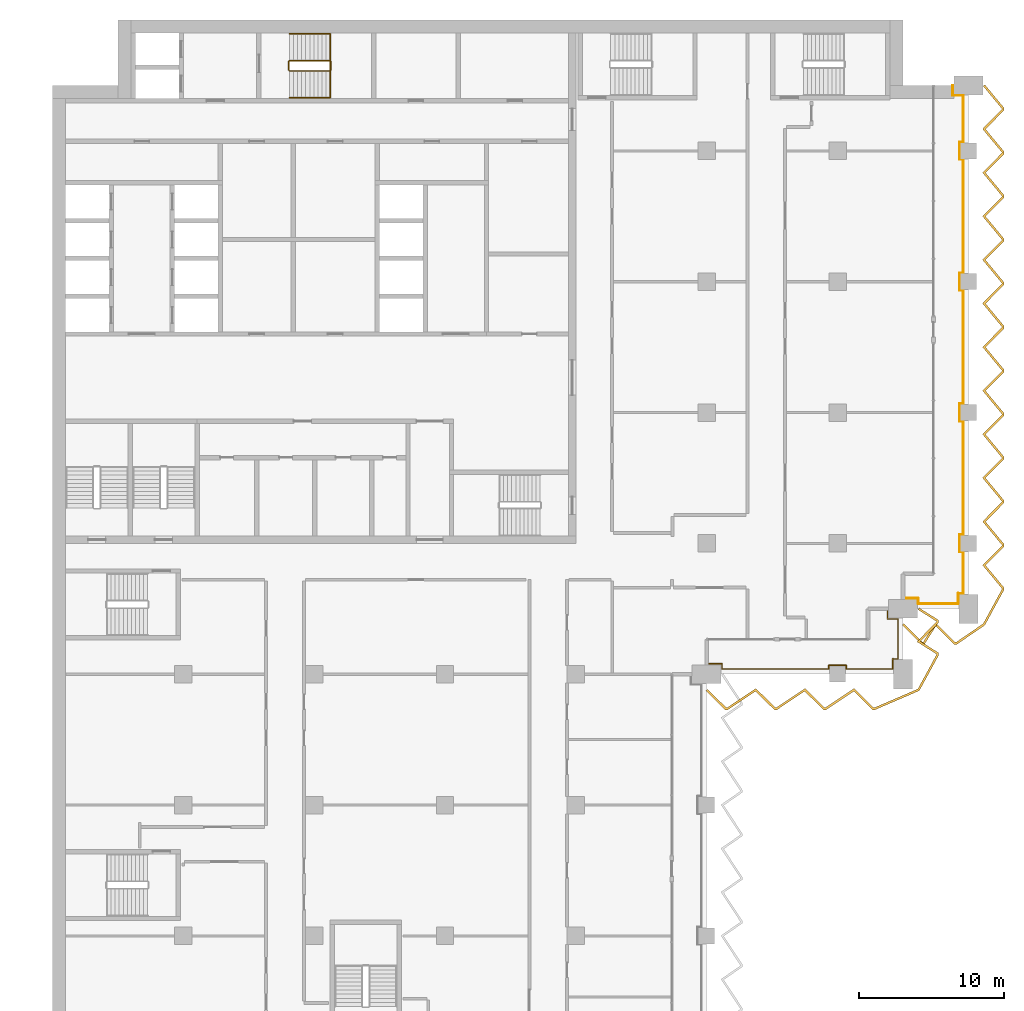
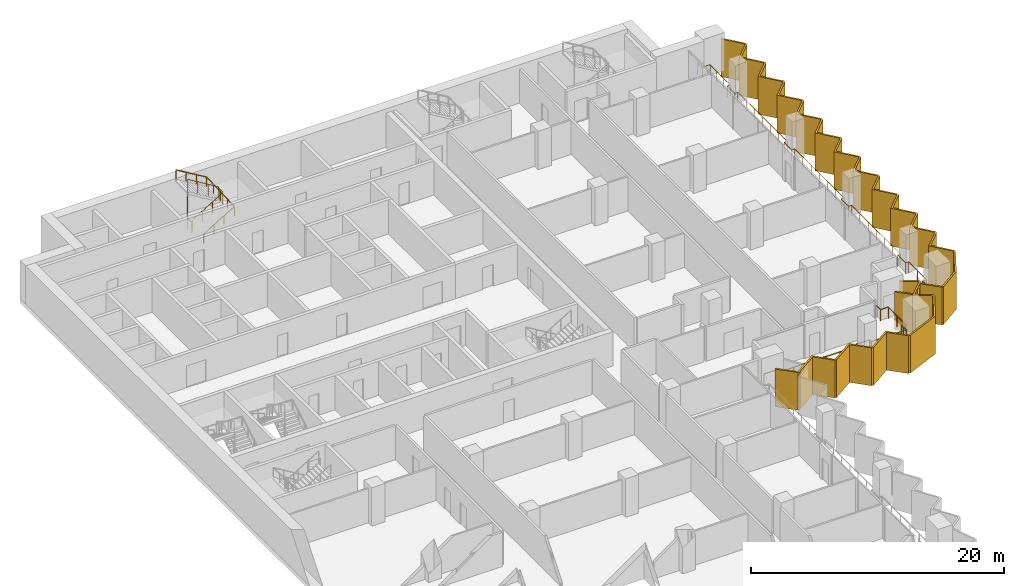
# One storey, part 21 of 22: 4 railings, 2 shading devices.
"""IFC4 building model written with IfcOpenShell, lengths in metres."""

from ifc_helpers import new_model, si_unit, direction, frame, origin, origin_2d, place, context, subcontext, project, spatial, polyline, circle, outline, extrude, material, layer, layer_set, type_object, element, save


model = new_model("IFC4")

# Units and contexts
model_context = context("Model", 3, precision=1e-05, world=origin(), true_north=direction((0.0, 1.0)))
body_context = subcontext(model_context, "Body", "Model", "MODEL_VIEW")
ifc_project = project(units=[si_unit("LENGTHUNIT", "METRE"), si_unit("AREAUNIT", "SQUARE_METRE"), si_unit("VOLUMEUNIT", "CUBIC_METRE"), si_unit("PLANEANGLEUNIT", "RADIAN"), si_unit("MASSUNIT", "GRAM", prefix="KILO")], contexts=[model_context])

# Site, building, storey
site_placement = place(None, origin())
site = spatial("IfcSite", under=ifc_project, at=site_placement, CompositionType="ELEMENT")
building_placement = place(site_placement, origin())
building = spatial("IfcBuilding", under=site, at=building_placement, Name="Hunhe Ridgeline Campus", CompositionType="ELEMENT")
storey_placement = place(building_placement, frame((0.0, 0.0, 133.800048828125)))
storey = spatial("IfcBuildingStorey", under=building, at=storey_placement, Name="L33", CompositionType="ELEMENT", Elevation=133.800048828125)

# Railings
ifc_material_1 = material(Name="Steel Q355", Category="steel")
railing_type_1 = type_object("IfcRailingType", Name="Loggia guard 1100 Steel Q355", PredefinedType="GUARDRAIL", material=ifc_material_1)
railing_1_placement = place(storey_placement, frame((45.0, 54.719970703125, 0.0)))
element("IfcRailing", 1, at=railing_1_placement, inside=storey, type_object=railing_type_1, Name="Loggia guard 2", PredefinedType="GUARDRAIL", context=body_context, shape_type="SweptSolid", body=[
    extrude(circle(Radius=0.02392578125, at=origin_2d()), frame((0.0, 0.0, 1.076171875), z_axis=(1.0, 0.0, 0.0), x_axis=(0.0, 1.0, 0.0)), (0.0, 0.0, 1.0), 1.050048828125),
    extrude(circle(Radius=0.02392578125, at=origin_2d()), frame((1.050048828125, 0.0, 1.076171875), z_axis=(0.0, -1.0, 0.0), x_axis=(1.0, 0.0, 0.0)), (0.0, 0.0, 1.0), 0.369873046875),
    extrude(circle(Radius=0.02392578125, at=origin_2d()), frame((1.050048828125, -0.369873046875, 1.076171875), z_axis=(1.0, 0.0, 0.0), x_axis=(0.0, 1.0, 0.0)), (0.0, 0.0, 1.0), 7.349853515625),
    extrude(circle(Radius=0.02392578125, at=origin_2d()), frame((8.39990234375, -0.369873046875, 1.076171875), z_axis=(0.0, 1.0, 0.0), x_axis=(-1.0, 0.0, 0.0)), (0.0, 0.0, 1.0), 0.27001953125),
    extrude(circle(Radius=0.02392578125, at=origin_2d()), frame((8.39990234375, -0.099853515625, 1.076171875), z_axis=(1.0, 0.0, 0.0), x_axis=(0.0, 1.0, 0.0)), (0.0, 0.0, 1.0), 1.2001953125),
    extrude(circle(Radius=0.02392578125, at=origin_2d()), frame((9.60009765625, -0.099853515625, 1.076171875), z_axis=(0.0, -1.0, 0.0), x_axis=(1.0, 0.0, 0.0)), (0.0, 0.0, 1.0), 0.27001953125),
    extrude(circle(Radius=0.02392578125, at=origin_2d()), frame((9.60009765625, -0.369873046875, 1.076171875), z_axis=(1.0, 0.0, 0.0), x_axis=(0.0, 1.0, 0.0)), (0.0, 0.0, 1.0), 3.199951171875),
    extrude(circle(Radius=0.02392578125, at=origin_2d()), frame((12.800048828125, -0.369873046875, 1.076171875), z_axis=(0.0, 1.0, 0.0), x_axis=(-1.0, 0.0, 0.0)), (0.0, 0.0, 1.0), 0.719970703125),
    extrude(circle(Radius=0.02392578125, at=origin_2d()), frame((12.800048828125, 0.35009765625, 1.076171875), z_axis=(-0.057089444596, -0.998369067688, 0.0), x_axis=(0.998369067688, -0.057089444596, 0.0)), (0.0, 0.0, 1.0), 0.3505859375),
    extrude(circle(Radius=0.02392578125, at=origin_2d()), frame((12.780029296875, 0.0, 1.076171875), z_axis=(0.0, 1.0, 0.0), x_axis=(-1.0, 0.0, 0.0)), (0.0, 0.0, 1.0), 0.330078125),
    extrude(circle(Radius=0.02392578125, at=origin_2d()), frame((12.780029296875, 0.330078125, 1.076171875), z_axis=(1.0, 0.0, 0.0), x_axis=(0.0, 1.0, 0.0)), (0.0, 0.0, 1.0), 0.369873046875),
    extrude(circle(Radius=0.02392578125, at=origin_2d()), frame((13.14990234375, 0.330078125, 1.076171875), z_axis=(0.0, 1.0, 0.0), x_axis=(-1.0, 0.0, 0.0)), (0.0, 0.0, 1.0), 2.75),
    extrude(circle(Radius=0.02392578125, at=origin_2d()), frame((13.14990234375, 3.080078125, 1.076171875), z_axis=(-1.0, 0.0, 0.0), x_axis=(0.0, -1.0, 0.0)), (0.0, 0.0, 1.0), 0.719970703125),
    extrude(circle(Radius=0.02392578125, at=origin_2d()), frame((12.429931640625, 3.080078125, 1.076171875), z_axis=(0.0, 1.0, 0.0), x_axis=(-1.0, 0.0, 0.0)), (0.0, 0.0, 1.0), 0.699951171875),
    extrude(circle(Radius=0.02099609375, at=origin_2d()), origin(), (0.0, 0.0, 1.0), 1.052001953125),
    extrude(circle(Radius=0.02099609375, at=origin_2d()), frame((1.050048828125, 0.0, 0.0)), (0.0, 0.0, 1.0), 1.052001953125),
    extrude(circle(Radius=0.02099609375, at=origin_2d()), frame((1.050048828125, -0.369873046875, 0.0)), (0.0, 0.0, 1.0), 1.052001953125),
    extrude(circle(Radius=0.02099609375, at=origin_2d()), frame((2.52001953125, -0.369873046875, 0.0)), (0.0, 0.0, 1.0), 1.052001953125),
    extrude(circle(Radius=0.02099609375, at=origin_2d()), frame((3.989990234375, -0.369873046875, 0.0)), (0.0, 0.0, 1.0), 1.052001953125),
    extrude(circle(Radius=0.02099609375, at=origin_2d()), frame((5.4599609375, -0.369873046875, 0.0)), (0.0, 0.0, 1.0), 1.052001953125),
    extrude(circle(Radius=0.02099609375, at=origin_2d()), frame((6.929931640625, -0.369873046875, 0.0)), (0.0, 0.0, 1.0), 1.052001953125),
    extrude(circle(Radius=0.02099609375, at=origin_2d()), frame((8.39990234375, -0.369873046875, 0.0)), (0.0, 0.0, 1.0), 1.052001953125),
    extrude(circle(Radius=0.02099609375, at=origin_2d()), frame((8.39990234375, -0.099853515625, 0.0)), (0.0, 0.0, 1.0), 1.052001953125),
    extrude(circle(Radius=0.02099609375, at=origin_2d()), frame((9.60009765625, -0.099853515625, 0.0)), (0.0, 0.0, 1.0), 1.052001953125),
    extrude(circle(Radius=0.02099609375, at=origin_2d()), frame((9.60009765625, -0.369873046875, 0.0)), (0.0, 0.0, 1.0), 1.052001953125),
    extrude(circle(Radius=0.02099609375, at=origin_2d()), frame((10.666748046875, -0.369873046875, 0.0)), (0.0, 0.0, 1.0), 1.052001953125),
    extrude(circle(Radius=0.02099609375, at=origin_2d()), frame((11.7333984375, -0.369873046875, 0.0)), (0.0, 0.0, 1.0), 1.052001953125),
    extrude(circle(Radius=0.02099609375, at=origin_2d()), frame((12.800048828125, -0.369873046875, 0.0)), (0.0, 0.0, 1.0), 1.052001953125),
    extrude(circle(Radius=0.02099609375, at=origin_2d()), frame((12.800048828125, 0.35009765625, 0.0)), (0.0, 0.0, 1.0), 1.052001953125),
    extrude(circle(Radius=0.02099609375, at=origin_2d()), frame((12.780029296875, 0.0, 0.0)), (0.0, 0.0, 1.0), 1.052001953125),
    extrude(circle(Radius=0.02099609375, at=origin_2d()), frame((12.780029296875, 0.330078125, 0.0)), (0.0, 0.0, 1.0), 1.052001953125),
    extrude(circle(Radius=0.02099609375, at=origin_2d()), frame((13.14990234375, 0.330078125, 0.0)), (0.0, 0.0, 1.0), 1.052001953125),
    extrude(circle(Radius=0.02099609375, at=origin_2d()), frame((13.14990234375, 1.705078125, 0.0)), (0.0, 0.0, 1.0), 1.052001953125),
    extrude(circle(Radius=0.02099609375, at=origin_2d()), frame((13.14990234375, 3.080078125, 0.0)), (0.0, 0.0, 1.0), 1.052001953125),
    extrude(circle(Radius=0.02099609375, at=origin_2d()), frame((12.429931640625, 3.080078125, 0.0)), (0.0, 0.0, 1.0), 1.052001953125),
    extrude(circle(Radius=0.02099609375, at=origin_2d()), frame((12.429931640625, 3.780029296875, 0.0)), (0.0, 0.0, 1.0), 1.052001953125),
])
railing_2_placement = place(storey_placement, frame((58.5, 59.219970703125, 0.0)))
element("IfcRailing", 2, at=railing_2_placement, inside=storey, type_object=railing_type_1, Name="Loggia guard 3", PredefinedType="GUARDRAIL", context=body_context, shape_type="SweptSolid", body=[
    extrude(circle(Radius=0.02392578125, at=origin_2d()), frame((0.0, 0.0, 1.076171875), z_axis=(1.0, 0.0, 0.0), x_axis=(0.0, 1.0, 0.0)), (0.0, 0.0, 1.0), 1.050048828125),
    extrude(circle(Radius=0.02392578125, at=origin_2d()), frame((1.050048828125, 0.0, 1.076171875), z_axis=(0.0, -1.0, 0.0), x_axis=(1.0, 0.0, 0.0)), (0.0, 0.0, 1.0), 0.369873046875),
    extrude(circle(Radius=0.02392578125, at=origin_2d()), frame((1.050048828125, -0.369873046875, 1.076171875), z_axis=(1.0, 0.0, 0.0), x_axis=(0.0, 1.0, 0.0)), (0.0, 0.0, 1.0), 2.75),
    extrude(circle(Radius=0.02392578125, at=origin_2d()), frame((3.800048828125, -0.369873046875, 1.076171875), z_axis=(0.0, 1.0, 0.0), x_axis=(-1.0, 0.0, 0.0)), (0.0, 0.0, 1.0), 0.719970703125),
    extrude(circle(Radius=0.02392578125, at=origin_2d()), frame((3.800048828125, 0.35009765625, 1.076171875), z_axis=(-0.057089444596, -0.998369067688, 0.0), x_axis=(0.998369067688, -0.057089444596, 0.0)), (0.0, 0.0, 1.0), 0.3505859375),
    extrude(circle(Radius=0.02392578125, at=origin_2d()), frame((3.780029296875, 0.0, 1.076171875), z_axis=(0.0, 1.0, 0.0), x_axis=(-1.0, 0.0, 0.0)), (0.0, 0.0, 1.0), 0.330078125),
    extrude(circle(Radius=0.02392578125, at=origin_2d()), frame((3.780029296875, 0.330078125, 1.076171875), z_axis=(1.0, 0.0, 0.0), x_axis=(0.0, 1.0, 0.0)), (0.0, 0.0, 1.0), 0.369873046875),
    extrude(circle(Radius=0.02392578125, at=origin_2d()), frame((4.14990234375, 0.330078125, 1.076171875), z_axis=(0.0, 1.0, 0.0), x_axis=(-1.0, 0.0, 0.0)), (0.0, 0.0, 1.0), 2.849853515625),
    extrude(circle(Radius=0.02392578125, at=origin_2d()), frame((4.14990234375, 3.179931640625, 1.076171875), z_axis=(-1.0, 0.0, 0.0), x_axis=(0.0, -1.0, 0.0)), (0.0, 0.0, 1.0), 0.27001953125),
    extrude(circle(Radius=0.02392578125, at=origin_2d()), frame((3.8798828125, 3.179931640625, 1.076171875), z_axis=(0.0, 1.0, 0.0), x_axis=(-1.0, 0.0, 0.0)), (0.0, 0.0, 1.0), 1.2001953125),
    extrude(circle(Radius=0.02392578125, at=origin_2d()), frame((3.8798828125, 4.380126953125, 1.076171875), z_axis=(1.0, 0.0, 0.0), x_axis=(0.0, 1.0, 0.0)), (0.0, 0.0, 1.0), 0.27001953125),
    extrude(circle(Radius=0.02392578125, at=origin_2d()), frame((4.14990234375, 4.380126953125, 1.076171875), z_axis=(0.0, 1.0, 0.0), x_axis=(-1.0, 0.0, 0.0)), (0.0, 0.0, 1.0), 7.7998046875),
    extrude(circle(Radius=0.02392578125, at=origin_2d()), frame((4.14990234375, 12.179931640625, 1.076171875), z_axis=(-1.0, 0.0, 0.0), x_axis=(0.0, -1.0, 0.0)), (0.0, 0.0, 1.0), 0.27001953125),
    extrude(circle(Radius=0.02392578125, at=origin_2d()), frame((3.8798828125, 12.179931640625, 1.076171875), z_axis=(0.0, 1.0, 0.0), x_axis=(-1.0, 0.0, 0.0)), (0.0, 0.0, 1.0), 1.2001953125),
    extrude(circle(Radius=0.02392578125, at=origin_2d()), frame((3.8798828125, 13.380126953125, 1.076171875), z_axis=(1.0, 0.0, 0.0), x_axis=(0.0, 1.0, 0.0)), (0.0, 0.0, 1.0), 0.27001953125),
    extrude(circle(Radius=0.02392578125, at=origin_2d()), frame((4.14990234375, 13.380126953125, 1.076171875), z_axis=(0.0, 1.0, 0.0), x_axis=(-1.0, 0.0, 0.0)), (0.0, 0.0, 1.0), 7.7998046875),
    extrude(circle(Radius=0.02392578125, at=origin_2d()), frame((4.14990234375, 21.179931640625, 1.076171875), z_axis=(-1.0, 0.0, 0.0), x_axis=(0.0, -1.0, 0.0)), (0.0, 0.0, 1.0), 0.27001953125),
    extrude(circle(Radius=0.02392578125, at=origin_2d()), frame((3.8798828125, 21.179931640625, 1.076171875), z_axis=(0.0, 1.0, 0.0), x_axis=(-1.0, 0.0, 0.0)), (0.0, 0.0, 1.0), 1.2001953125),
    extrude(circle(Radius=0.02392578125, at=origin_2d()), frame((3.8798828125, 22.380126953125, 1.076171875), z_axis=(1.0, 0.0, 0.0), x_axis=(0.0, 1.0, 0.0)), (0.0, 0.0, 1.0), 0.27001953125),
    extrude(circle(Radius=0.02392578125, at=origin_2d()), frame((4.14990234375, 22.380126953125, 1.076171875), z_axis=(0.0, 1.0, 0.0), x_axis=(-1.0, 0.0, 0.0)), (0.0, 0.0, 1.0), 7.7998046875),
    extrude(circle(Radius=0.02392578125, at=origin_2d()), frame((4.14990234375, 30.179931640625, 1.076171875), z_axis=(-1.0, 0.0, 0.0), x_axis=(0.0, -1.0, 0.0)), (0.0, 0.0, 1.0), 0.27001953125),
    extrude(circle(Radius=0.02392578125, at=origin_2d()), frame((3.8798828125, 30.179931640625, 1.076171875), z_axis=(0.0, 1.0, 0.0), x_axis=(-1.0, 0.0, 0.0)), (0.0, 0.0, 1.0), 1.2001953125),
    extrude(circle(Radius=0.02392578125, at=origin_2d()), frame((3.8798828125, 31.380126953125, 1.076171875), z_axis=(1.0, 0.0, 0.0), x_axis=(0.0, 1.0, 0.0)), (0.0, 0.0, 1.0), 0.27001953125),
    extrude(circle(Radius=0.02392578125, at=origin_2d()), frame((4.14990234375, 31.380126953125, 1.076171875), z_axis=(0.0, 1.0, 0.0), x_axis=(-1.0, 0.0, 0.0)), (0.0, 0.0, 1.0), 3.199951171875),
    extrude(circle(Radius=0.02392578125, at=origin_2d()), frame((4.14990234375, 34.580078125, 1.076171875), z_axis=(-1.0, 0.0, 0.0), x_axis=(0.0, -1.0, 0.0)), (0.0, 0.0, 1.0), 0.719970703125),
    extrude(circle(Radius=0.02392578125, at=origin_2d()), frame((3.429931640625, 34.580078125, 1.076171875), z_axis=(0.0, 1.0, 0.0), x_axis=(-1.0, 0.0, 0.0)), (0.0, 0.0, 1.0), 0.699951171875),
    extrude(circle(Radius=0.02099609375, at=origin_2d()), origin(), (0.0, 0.0, 1.0), 1.052001953125),
    extrude(circle(Radius=0.02099609375, at=origin_2d()), frame((1.050048828125, 0.0, 0.0)), (0.0, 0.0, 1.0), 1.052001953125),
    extrude(circle(Radius=0.02099609375, at=origin_2d()), frame((1.050048828125, -0.369873046875, 0.0)), (0.0, 0.0, 1.0), 1.052001953125),
    extrude(circle(Radius=0.02099609375, at=origin_2d()), frame((2.425048828125, -0.369873046875, 0.0)), (0.0, 0.0, 1.0), 1.052001953125),
    extrude(circle(Radius=0.02099609375, at=origin_2d()), frame((3.800048828125, -0.369873046875, 0.0)), (0.0, 0.0, 1.0), 1.052001953125),
    extrude(circle(Radius=0.02099609375, at=origin_2d()), frame((3.800048828125, 0.35009765625, 0.0)), (0.0, 0.0, 1.0), 1.052001953125),
    extrude(circle(Radius=0.02099609375, at=origin_2d()), frame((3.780029296875, 0.0, 0.0)), (0.0, 0.0, 1.0), 1.052001953125),
    extrude(circle(Radius=0.02099609375, at=origin_2d()), frame((3.780029296875, 0.330078125, 0.0)), (0.0, 0.0, 1.0), 1.052001953125),
    extrude(circle(Radius=0.02099609375, at=origin_2d()), frame((4.14990234375, 0.330078125, 0.0)), (0.0, 0.0, 1.0), 1.052001953125),
    extrude(circle(Radius=0.02099609375, at=origin_2d()), frame((4.14990234375, 1.7548828125, 0.0)), (0.0, 0.0, 1.0), 1.052001953125),
    extrude(circle(Radius=0.02099609375, at=origin_2d()), frame((4.14990234375, 3.179931640625, 0.0)), (0.0, 0.0, 1.0), 1.052001953125),
    extrude(circle(Radius=0.02099609375, at=origin_2d()), frame((3.8798828125, 3.179931640625, 0.0)), (0.0, 0.0, 1.0), 1.052001953125),
    extrude(circle(Radius=0.02099609375, at=origin_2d()), frame((3.8798828125, 4.380126953125, 0.0)), (0.0, 0.0, 1.0), 1.052001953125),
    extrude(circle(Radius=0.02099609375, at=origin_2d()), frame((4.14990234375, 4.380126953125, 0.0)), (0.0, 0.0, 1.0), 1.052001953125),
    extrude(circle(Radius=0.02099609375, at=origin_2d()), frame((4.14990234375, 5.68017578125, 0.0)), (0.0, 0.0, 1.0), 1.052001953125),
    extrude(circle(Radius=0.02099609375, at=origin_2d()), frame((4.14990234375, 6.97998046875, 0.0)), (0.0, 0.0, 1.0), 1.052001953125),
    extrude(circle(Radius=0.02099609375, at=origin_2d()), frame((4.14990234375, 8.280029296875, 0.0)), (0.0, 0.0, 1.0), 1.052001953125),
    extrude(circle(Radius=0.02099609375, at=origin_2d()), frame((4.14990234375, 9.580078125, 0.0)), (0.0, 0.0, 1.0), 1.052001953125),
    extrude(circle(Radius=0.02099609375, at=origin_2d()), frame((4.14990234375, 10.8798828125, 0.0)), (0.0, 0.0, 1.0), 1.052001953125),
    extrude(circle(Radius=0.02099609375, at=origin_2d()), frame((4.14990234375, 12.179931640625, 0.0)), (0.0, 0.0, 1.0), 1.052001953125),
    extrude(circle(Radius=0.02099609375, at=origin_2d()), frame((3.8798828125, 12.179931640625, 0.0)), (0.0, 0.0, 1.0), 1.052001953125),
    extrude(circle(Radius=0.02099609375, at=origin_2d()), frame((3.8798828125, 13.380126953125, 0.0)), (0.0, 0.0, 1.0), 1.052001953125),
    extrude(circle(Radius=0.02099609375, at=origin_2d()), frame((4.14990234375, 13.380126953125, 0.0)), (0.0, 0.0, 1.0), 1.052001953125),
    extrude(circle(Radius=0.02099609375, at=origin_2d()), frame((4.14990234375, 14.68017578125, 0.0)), (0.0, 0.0, 1.0), 1.052001953125),
    extrude(circle(Radius=0.02099609375, at=origin_2d()), frame((4.14990234375, 15.97998046875, 0.0)), (0.0, 0.0, 1.0), 1.052001953125),
    extrude(circle(Radius=0.02099609375, at=origin_2d()), frame((4.14990234375, 17.280029296875, 0.0)), (0.0, 0.0, 1.0), 1.052001953125),
    extrude(circle(Radius=0.02099609375, at=origin_2d()), frame((4.14990234375, 18.580078125, 0.0)), (0.0, 0.0, 1.0), 1.052001953125),
    extrude(circle(Radius=0.02099609375, at=origin_2d()), frame((4.14990234375, 19.8798828125, 0.0)), (0.0, 0.0, 1.0), 1.052001953125),
    extrude(circle(Radius=0.02099609375, at=origin_2d()), frame((4.14990234375, 21.179931640625, 0.0)), (0.0, 0.0, 1.0), 1.052001953125),
    extrude(circle(Radius=0.02099609375, at=origin_2d()), frame((3.8798828125, 21.179931640625, 0.0)), (0.0, 0.0, 1.0), 1.052001953125),
    extrude(circle(Radius=0.02099609375, at=origin_2d()), frame((3.8798828125, 22.380126953125, 0.0)), (0.0, 0.0, 1.0), 1.052001953125),
    extrude(circle(Radius=0.02099609375, at=origin_2d()), frame((4.14990234375, 22.380126953125, 0.0)), (0.0, 0.0, 1.0), 1.052001953125),
    extrude(circle(Radius=0.02099609375, at=origin_2d()), frame((4.14990234375, 23.68017578125, 0.0)), (0.0, 0.0, 1.0), 1.052001953125),
    extrude(circle(Radius=0.02099609375, at=origin_2d()), frame((4.14990234375, 24.97998046875, 0.0)), (0.0, 0.0, 1.0), 1.052001953125),
    extrude(circle(Radius=0.02099609375, at=origin_2d()), frame((4.14990234375, 26.280029296875, 0.0)), (0.0, 0.0, 1.0), 1.052001953125),
    extrude(circle(Radius=0.02099609375, at=origin_2d()), frame((4.14990234375, 27.580078125, 0.0)), (0.0, 0.0, 1.0), 1.052001953125),
    extrude(circle(Radius=0.02099609375, at=origin_2d()), frame((4.14990234375, 28.8798828125, 0.0)), (0.0, 0.0, 1.0), 1.052001953125),
    extrude(circle(Radius=0.02099609375, at=origin_2d()), frame((4.14990234375, 30.179931640625, 0.0)), (0.0, 0.0, 1.0), 1.052001953125),
    extrude(circle(Radius=0.02099609375, at=origin_2d()), frame((3.8798828125, 30.179931640625, 0.0)), (0.0, 0.0, 1.0), 1.052001953125),
    extrude(circle(Radius=0.02099609375, at=origin_2d()), frame((3.8798828125, 31.380126953125, 0.0)), (0.0, 0.0, 1.0), 1.052001953125),
    extrude(circle(Radius=0.02099609375, at=origin_2d()), frame((4.14990234375, 31.380126953125, 0.0)), (0.0, 0.0, 1.0), 1.052001953125),
    extrude(circle(Radius=0.02099609375, at=origin_2d()), frame((4.14990234375, 32.44677734375, 0.0)), (0.0, 0.0, 1.0), 1.052001953125),
    extrude(circle(Radius=0.02099609375, at=origin_2d()), frame((4.14990234375, 33.513427734375, 0.0)), (0.0, 0.0, 1.0), 1.052001953125),
    extrude(circle(Radius=0.02099609375, at=origin_2d()), frame((4.14990234375, 34.580078125, 0.0)), (0.0, 0.0, 1.0), 1.052001953125),
    extrude(circle(Radius=0.02099609375, at=origin_2d()), frame((3.429931640625, 34.580078125, 0.0)), (0.0, 0.0, 1.0), 1.052001953125),
    extrude(circle(Radius=0.02099609375, at=origin_2d()), frame((3.429931640625, 35.280029296875, 0.0)), (0.0, 0.0, 1.0), 1.052001953125),
])

# Shading devices
ifc_material_2 = material(Name="Concrete C50", Category="concrete")
ifc_layer = layer(ifc_material_2, 0.14990234375)
ifc_layer_set = layer_set([ifc_layer], Name="Sawtooth concrete fin 150 Concrete C50")
shading_device_type = type_object("IfcShadingDeviceType", Name="Sawtooth concrete fin 150 Concrete C50", PredefinedType="USERDEFINED", material=ifc_layer_set)
shading_device_1_placement = place(storey_placement, frame((0.0, 0.0, -0.949951171875)))
element("IfcShadingDevice", 3, at=shading_device_1_placement, inside=storey, type_object=shading_device_type, Name="Concrete fin screen 2", ObjectType="FIN", PredefinedType="USERDEFINED", context=body_context, shape_type="SweptSolid", body=[
    extrude(outline(polyline([(45.052734375, 52.978271484375), (44.947265625, 52.871826171875), (46.279296875, 51.550048828125), (46.453125, 51.550048828125), (48.36572265625, 52.82861328125), (49.654296875, 51.550048828125), (49.828125, 51.550048828125), (51.74072265625, 52.82861328125), (53.029296875, 51.550048828125), (53.203125, 51.550048828125), (55.11572265625, 52.82861328125), (56.404296875, 51.550048828125), (56.57080078125, 51.550048828125), (59.62841796875, 52.866455078125), (60.949951171875, 55.291259765625), (60.949951171875, 55.4716796875), (59.694091796875, 56.263671875), (60.949951171875, 57.529296875), (60.949951171875, 57.7216796875), (59.614990234375, 58.5634765625), (59.534912109375, 58.4365234375), (60.800048828125, 57.638916015625), (60.800048828125, 57.591064453125), (59.455810546875, 56.236328125), (60.800048828125, 55.388916015625), (60.800048828125, 55.329345703125), (59.521484375, 52.983642578125), (56.539794921875, 51.699951171875), (56.466064453125, 51.699951171875), (55.13427734375, 53.021484375), (53.157470703125, 51.699951171875), (53.091064453125, 51.699951171875), (51.75927734375, 53.021484375), (49.782470703125, 51.699951171875), (49.716064453125, 51.699951171875), (48.38427734375, 53.021484375), (46.407470703125, 51.699951171875), (46.341064453125, 51.699951171875), (45.052734375, 52.978271484375)])), origin(), (0.0, 0.0, 1.0), 3.64990234375),
])
shading_device_2_placement = place(storey_placement, frame((0.0, 0.0, -0.949951171875)))
element("IfcShadingDevice", 4, at=shading_device_2_placement, inside=storey, type_object=shading_device_type, Name="Concrete fin screen 3", ObjectType="FIN", PredefinedType="USERDEFINED", context=body_context, shape_type="SweptSolid", body=[
    extrude(outline(polyline([(58.552734375, 57.478271484375), (58.447265625, 57.371826171875), (59.779296875, 56.050048828125), (59.9716796875, 56.050048828125), (60.763671875, 57.305908203125), (62.029296875, 56.050048828125), (62.20361328125, 56.050048828125), (64.13232421875, 57.373291015625), (65.449951171875, 59.791259765625), (65.449951171875, 59.957275390625), (64.176025390625, 61.495361328125), (65.449951171875, 62.779296875), (65.449951171875, 62.957275390625), (64.176025390625, 64.495361328125), (65.449951171875, 65.779296875), (65.449951171875, 65.957275390625), (64.176025390625, 67.495361328125), (65.449951171875, 68.779296875), (65.449951171875, 68.957275390625), (64.176025390625, 70.495361328125), (65.449951171875, 71.779296875), (65.449951171875, 71.957275390625), (64.176025390625, 73.495361328125), (65.449951171875, 74.779296875), (65.449951171875, 74.957275390625), (64.176025390625, 76.495361328125), (65.449951171875, 77.779296875), (65.449951171875, 77.957275390625), (64.176025390625, 79.495361328125), (65.449951171875, 80.779296875), (65.449951171875, 80.957275390625), (64.176025390625, 82.495361328125), (65.449951171875, 83.779296875), (65.449951171875, 83.957275390625), (64.176025390625, 85.495361328125), (65.449951171875, 86.779296875), (65.449951171875, 86.957275390625), (64.176025390625, 88.495361328125), (65.449951171875, 89.779296875), (65.449951171875, 89.957275390625), (64.176025390625, 91.495361328125), (65.449951171875, 92.779296875), (65.449951171875, 92.957275390625), (64.1328125, 94.5478515625), (64.017333984375, 94.4521484375), (65.300048828125, 92.9033203125), (65.300048828125, 92.841064453125), (63.973876953125, 91.504638671875), (65.300048828125, 89.9033203125), (65.300048828125, 89.841064453125), (63.973876953125, 88.504638671875), (65.300048828125, 86.9033203125), (65.300048828125, 86.841064453125), (63.973876953125, 85.504638671875), (65.300048828125, 83.9033203125), (65.300048828125, 83.841064453125), (63.973876953125, 82.504638671875), (65.300048828125, 80.9033203125), (65.300048828125, 80.841064453125), (63.973876953125, 79.504638671875), (65.300048828125, 77.9033203125), (65.300048828125, 77.841064453125), (63.973876953125, 76.504638671875), (65.300048828125, 74.9033203125), (65.300048828125, 74.841064453125), (63.973876953125, 73.504638671875), (65.300048828125, 71.9033203125), (65.300048828125, 71.841064453125), (63.973876953125, 70.504638671875), (65.300048828125, 68.9033203125), (65.300048828125, 68.841064453125), (63.973876953125, 67.504638671875), (65.300048828125, 65.9033203125), (65.300048828125, 65.841064453125), (63.973876953125, 64.504638671875), (65.300048828125, 62.9033203125), (65.300048828125, 62.841064453125), (63.973876953125, 61.504638671875), (65.300048828125, 59.9033203125), (65.300048828125, 59.829345703125), (64.017822265625, 57.4765625), (62.156982421875, 56.199951171875), (62.091064453125, 56.199951171875), (60.736328125, 57.544189453125), (59.888916015625, 56.199951171875), (59.841064453125, 56.199951171875), (58.552734375, 57.478271484375)])), origin(), (0.0, 0.0, 1.0), 3.64990234375),
])

# Railings
ifc_material_3 = material(Name="Stainless steel balustrade", Category="steel")
railing_type_2 = type_object("IfcRailingType", Name="Stair guard 1100 stainless", PredefinedType="GUARDRAIL", material=ifc_material_3)
railing_3_placement = place(storey_placement, frame((16.300048828125, 95.5, 0.168212890625)))
element("IfcRailing", 5, at=railing_3_placement, inside=storey, type_object=railing_type_2, Name="L33 stair S1 guard", PredefinedType="GUARDRAIL", context=body_context, shape_type="SweptSolid", body=[
    extrude(circle(Radius=0.02392578125, at=origin_2d()), frame((0.0, 0.0, 1.076171875), z_axis=(0.857275202839, 0.0, 0.514858452973), x_axis=(0.0, 1.0, 0.0)), (0.0, 0.0, 1.0), 3.26611328125),
    extrude(circle(Radius=0.02392578125, at=origin_2d()), frame((2.800048828125, 0.0, 2.7578125), z_axis=(0.705375805398, 0.708833529934, 0.0), x_axis=(-0.708833529934, 0.705375805398, 0.0)), (0.0, 0.0, 1.0), 0.070556640625),
    extrude(circle(Radius=0.02392578125, at=origin_2d()), frame((2.849853515625, 0.050048828125, 2.7578125), z_axis=(0.0, 1.0, 0.0), x_axis=(-1.0, 0.0, 0.0)), (0.0, 0.0, 1.0), 0.599853515625),
    extrude(circle(Radius=0.02392578125, at=origin_2d()), frame((2.849853515625, 0.64990234375, 2.7578125), z_axis=(-0.273006030465, 0.27434429532, 0.922064485248), x_axis=(-0.708833529934, -0.705375805398, 0.0)), (0.0, 0.0, 1.0), 0.182373046875),
    extrude(circle(Radius=0.02392578125, at=origin_2d()), frame((2.800048828125, 0.699951171875, 2.92578125), z_axis=(-0.857242210791, 0.0, 0.514913383045), x_axis=(0.0, -1.0, 0.0)), (0.0, 0.0, 1.0), 3.266357421875),
    extrude(circle(Radius=0.02392578125, at=origin_2d()), frame((0.0, 0.699951171875, 4.60791015625), z_axis=(-0.013524414389, -0.013524414389, -0.999817073484), x_axis=(0.707106781187, -0.707106781187, 0.0)), (0.0, 0.0, 1.0), 3.70068359375),
    extrude(circle(Radius=0.02392578125, at=origin_2d()), frame((-0.050048828125, 0.64990234375, 0.90771484375), z_axis=(0.0, -1.0, 0.0), x_axis=(1.0, 0.0, 0.0)), (0.0, 0.0, 1.0), 0.599853515625),
    extrude(circle(Radius=0.02099609375, at=origin_2d()), origin(), (0.0, 0.0, 1.0), 1.052001953125),
    extrude(circle(Radius=0.02099609375, at=origin_2d()), frame((0.933349609375, 0.0, 0.560546875)), (0.0, 0.0, 1.0), 1.052001953125),
    extrude(circle(Radius=0.02099609375, at=origin_2d()), frame((1.86669921875, 0.0, 1.12109375)), (0.0, 0.0, 1.0), 1.052001953125),
    extrude(circle(Radius=0.02099609375, at=origin_2d()), frame((2.800048828125, 0.0, 1.681640625)), (0.0, 0.0, 1.0), 1.052001953125),
    extrude(circle(Radius=0.02099609375, at=origin_2d()), frame((2.849853515625, 0.050048828125, 1.681640625)), (0.0, 0.0, 1.0), 1.052001953125),
    extrude(circle(Radius=0.02099609375, at=origin_2d()), frame((2.849853515625, 0.64990234375, 1.681640625)), (0.0, 0.0, 1.0), 1.052001953125),
    extrude(circle(Radius=0.02099609375, at=origin_2d()), frame((2.800048828125, 0.699951171875, 1.849853515625)), (0.0, 0.0, 1.0), 1.052001953125),
    extrude(circle(Radius=0.02099609375, at=origin_2d()), frame((1.86669921875, 0.699951171875, 2.410400390625)), (0.0, 0.0, 1.0), 1.052001953125),
    extrude(circle(Radius=0.02099609375, at=origin_2d()), frame((0.933349609375, 0.699951171875, 2.97119140625)), (0.0, 0.0, 1.0), 1.052001953125),
    extrude(circle(Radius=0.02099609375, at=origin_2d()), frame((0.0, 0.699951171875, 3.53173828125)), (0.0, 0.0, 1.0), 1.052001953125),
    extrude(circle(Radius=0.02099609375, at=origin_2d()), frame((-0.012451171875, 0.6875, 2.606689453125)), (0.0, 0.0, 1.0), 1.052001953125),
    extrude(circle(Radius=0.02099609375, at=origin_2d()), frame((-0.02490234375, 0.6748046875, 1.681640625)), (0.0, 0.0, 1.0), 1.052001953125),
    extrude(circle(Radius=0.02099609375, at=origin_2d()), frame((-0.03759765625, 0.662353515625, 0.7568359375)), (0.0, 0.0, 1.0), 1.052001953125),
    extrude(circle(Radius=0.02099609375, at=origin_2d()), frame((-0.050048828125, 0.64990234375, -0.168212890625)), (0.0, 0.0, 1.0), 1.052001953125),
    extrude(circle(Radius=0.02099609375, at=origin_2d()), frame((-0.050048828125, 0.050048828125, -0.168212890625)), (0.0, 0.0, 1.0), 1.052001953125),
])
ifc_material_4 = material(Name="Stainless steel handrail", Category="steel")
railing_type_3 = type_object("IfcRailingType", Name="Stair handrail 900 stainless", PredefinedType="HANDRAIL", material=ifc_material_4)
railing_4_placement = place(storey_placement, frame((16.300048828125, 93.64990234375, 0.168212890625)))
element("IfcRailing", 6, at=railing_4_placement, inside=storey, type_object=railing_type_3, Name="L33 stair S1 handrail", PredefinedType="HANDRAIL", context=body_context, shape_type="SweptSolid", body=[
    extrude(circle(Radius=0.02392578125, at=origin_2d()), frame((0.0, 0.0, 0.8759765625), z_axis=(0.857275202839, 0.0, 0.514858452973), x_axis=(0.0, 1.0, 0.0)), (0.0, 0.0, 1.0), 3.26611328125),
    extrude(circle(Radius=0.02392578125, at=origin_2d()), frame((2.800048828125, 0.0, 2.5576171875), z_axis=(0.0, 0.999270074432, 0.038201025428), x_axis=(-1.0, 0.0, 0.0)), (0.0, 0.0, 1.0), 4.4033203125),
    extrude(circle(Radius=0.02392578125, at=origin_2d()), frame((2.800048828125, 4.400146484375, 2.7255859375), z_axis=(-0.857242210791, 0.0, 0.514913383045), x_axis=(0.0, -1.0, 0.0)), (0.0, 0.0, 1.0), 3.266357421875),
    extrude(circle(Radius=0.02099609375, at=origin_2d()), origin(), (0.0, 0.0, 1.0), 0.851806640625),
    extrude(circle(Radius=0.02099609375, at=origin_2d()), frame((0.933349609375, 0.0, 0.560546875)), (0.0, 0.0, 1.0), 0.851806640625),
    extrude(circle(Radius=0.02099609375, at=origin_2d()), frame((1.86669921875, 0.0, 1.12109375)), (0.0, 0.0, 1.0), 0.851806640625),
    extrude(circle(Radius=0.02099609375, at=origin_2d()), frame((2.800048828125, 0.0, 1.681640625)), (0.0, 0.0, 1.0), 0.851806640625),
    extrude(circle(Radius=0.02099609375, at=origin_2d()), frame((2.800048828125, 1.10009765625, 1.7236328125)), (0.0, 0.0, 1.0), 0.851806640625),
    extrude(circle(Radius=0.02099609375, at=origin_2d()), frame((2.800048828125, 2.2001953125, 1.765625)), (0.0, 0.0, 1.0), 0.851806640625),
    extrude(circle(Radius=0.02099609375, at=origin_2d()), frame((2.800048828125, 3.300048828125, 1.807861328125)), (0.0, 0.0, 1.0), 0.851806640625),
    extrude(circle(Radius=0.02099609375, at=origin_2d()), frame((2.800048828125, 4.400146484375, 1.849853515625)), (0.0, 0.0, 1.0), 0.851806640625),
    extrude(circle(Radius=0.02099609375, at=origin_2d()), frame((1.86669921875, 4.400146484375, 2.410400390625)), (0.0, 0.0, 1.0), 0.851806640625),
    extrude(circle(Radius=0.02099609375, at=origin_2d()), frame((0.933349609375, 4.400146484375, 2.97119140625)), (0.0, 0.0, 1.0), 0.851806640625),
    extrude(circle(Radius=0.02099609375, at=origin_2d()), frame((0.0, 4.400146484375, 3.53173828125)), (0.0, 0.0, 1.0), 0.851806640625),
])

save(model, "model.ifc")
